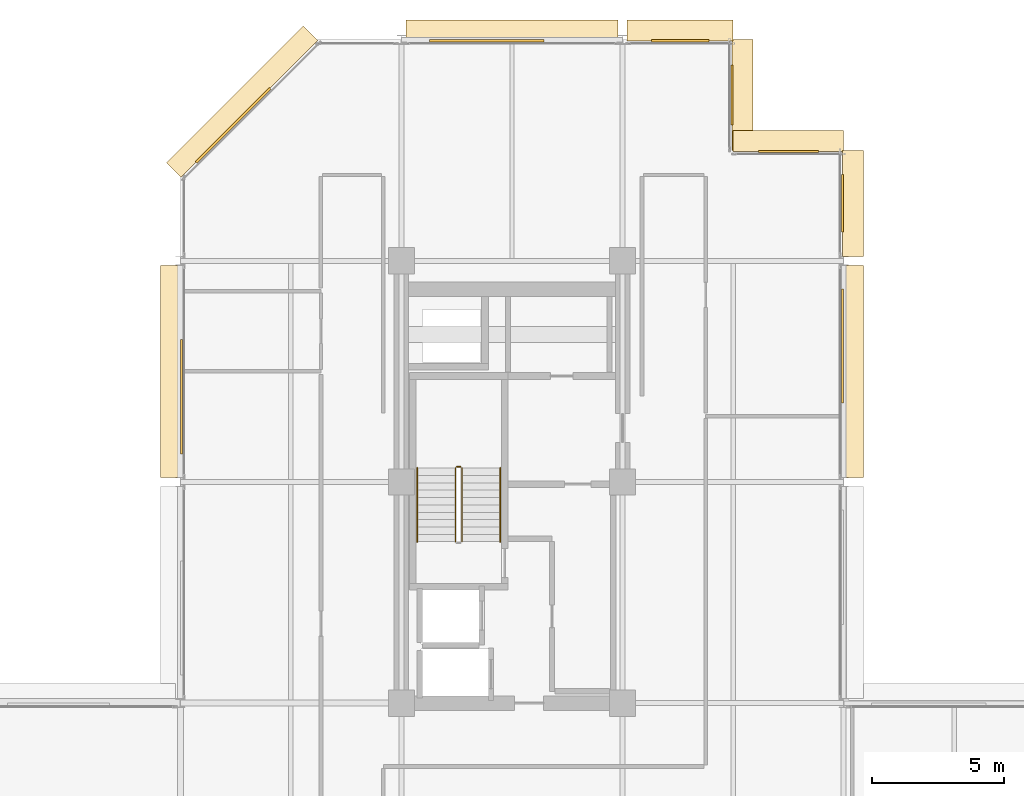
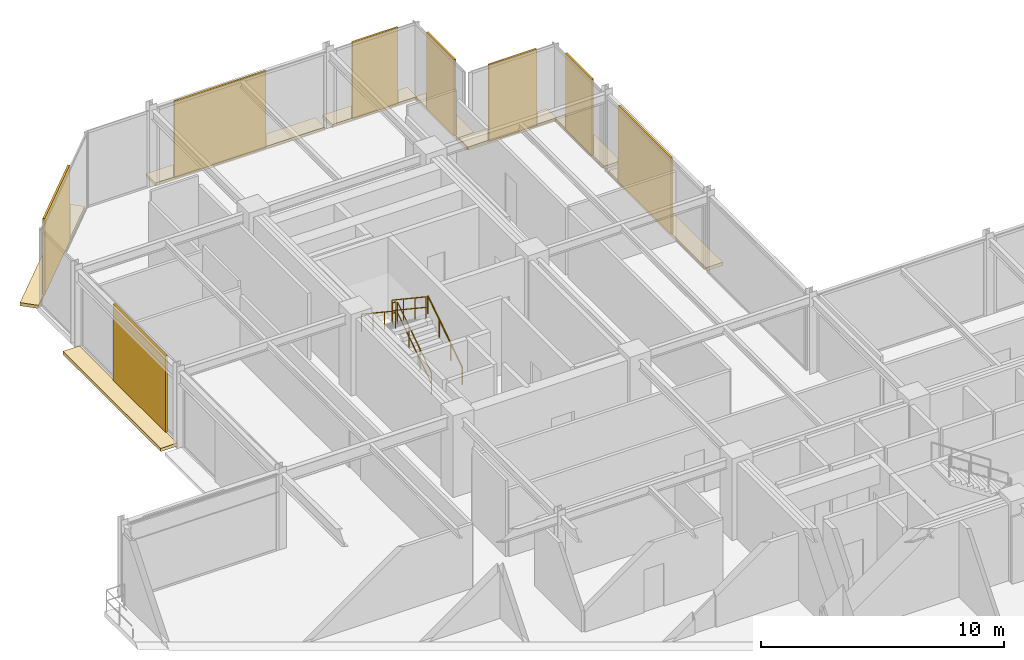
# One storey, part 29 of 29: 16 coverings, 5 railings.
"""IFC4 building model written with IfcOpenShell, lengths in metres."""

import ifcopenshell
import ifcopenshell.guid

model = None  # the IFC model being written
_history = None  # IfcOwnerHistory: only IFC2X3 demands one
_inside = {}  # id of a spatial element -> (the spatial element, [elements in it])
_under = {}  # id of a project, library or spatial element -> (it, [spatial elements below it])
_declared = {}  # id of a project -> (the project, [libraries it declares])
_typed = {}  # id of a type object -> (the type object, [elements of that type])
_made_of = {}  # id of a material, layer set ... -> (it, [elements and type objects made of it])


def new_model(schema):
    """Start an empty IFC model of exactly this schema.

    Asked for "IFC4X3", IfcOpenShell would pick the latest addendum, in which some entities
    have other attributes; the version numbers below select the first issue.
    IFC2X3 requires an IfcOwnerHistory on every rooted entity: one is made here for all.
    """
    global model, _history
    if schema == "IFC4X3":
        model = ifcopenshell.file(schema_version=(4, 3, 0, 0))
    else:
        model = ifcopenshell.file(schema=schema)
    _inside.clear()
    _under.clear()
    _declared.clear()
    _typed.clear()
    _made_of.clear()
    _history = None
    if model.schema == "IFC2X3":
        org = make("IfcOrganization", Name="unknown")
        user = make(
            "IfcPersonAndOrganization",
            ThePerson=make("IfcPerson", FamilyName="unknown"),
            TheOrganization=org,
        )
        app = make(
            "IfcApplication",
            ApplicationDeveloper=org,
            Version="unknown",
            ApplicationFullName="unknown",
            ApplicationIdentifier="unknown",
        )
        _history = make(
            "IfcOwnerHistory",
            OwningUser=user,
            OwningApplication=app,
            ChangeAction="ADDED",
            CreationDate=0,
        )
    return model


def make(cls, **values):
    """One entity of the class cls with the attributes given. An attribute that is None is left unset."""
    return model.create_entity(
        cls, **{name: value for name, value in values.items() if value is not None}
    )


def rooted(cls, **values):
    """An entity with a GlobalId (a new one), such as an element, a storey or a relation."""
    return make(cls, GlobalId=ifcopenshell.guid.new(), OwnerHistory=_history, **values)


def si_unit(unit_type, name, prefix=None):
    """IfcSIUnit, for example si_unit("LENGTHUNIT", "METRE", prefix="MILLI")."""
    return make("IfcSIUnit", UnitType=unit_type, Prefix=prefix, Name=name)


def assignment(units):
    """IfcUnitAssignment: the units of a project."""
    return None if units is None else make("IfcUnitAssignment", Units=units)


def point(xyz):
    """IfcCartesianPoint."""
    return None if xyz is None else make("IfcCartesianPoint", Coordinates=xyz)


def direction(xyz):
    """IfcDirection."""
    return None if xyz is None else make("IfcDirection", DirectionRatios=xyz)


def frame(location, z_axis=None, x_axis=None):
    """IfcAxis2Placement3D, a coordinate frame: its origin and axes. An axis left out is left unset."""
    return make(
        "IfcAxis2Placement3D",
        Location=point(location),
        Axis=direction(z_axis),
        RefDirection=direction(x_axis),
    )


def frame_2d(location, x_axis=None):
    """IfcAxis2Placement2D, a coordinate frame in the plane: its origin and x axis."""
    return make(
        "IfcAxis2Placement2D", Location=point(location), RefDirection=direction(x_axis)
    )


def origin():
    """The frame at (0, 0, 0) with its axes left unset."""
    return frame((0.0, 0.0, 0.0))


def origin_2d():
    """The frame at (0, 0) in the plane with its x axis left unset."""
    return frame_2d((0.0, 0.0))


def place(relative_to, where):
    """IfcLocalPlacement: puts the frame where relative to a parent placement (None: the world)."""
    return make(
        "IfcLocalPlacement", PlacementRelTo=relative_to, RelativePlacement=where
    )


def context(
    kind, dimensions, precision=None, world=None, true_north=None, identifier=None
):
    """IfcGeometricRepresentationContext, for example the 3D "Model" context."""
    return make(
        "IfcGeometricRepresentationContext",
        ContextIdentifier=identifier,
        ContextType=kind,
        CoordinateSpaceDimension=dimensions,
        Precision=precision,
        WorldCoordinateSystem=world,
        TrueNorth=true_north,
    )


def subcontext(parent, identifier, kind, view, scale=None):
    """IfcGeometricRepresentationSubContext, for example "Body" below "Model"."""
    return make(
        "IfcGeometricRepresentationSubContext",
        ContextIdentifier=identifier,
        ContextType=kind,
        ParentContext=parent,
        TargetScale=scale,
        TargetView=view,
    )


def project(units=None, contexts=None):
    """IfcProject with its units and contexts."""
    return rooted(
        "IfcProject",
        Name="project",
        RepresentationContexts=contexts,
        UnitsInContext=assignment(units),
    )


def spatial(cls, under=None, at=None, **own):
    """A site, building, storey or space (cls), placed at a placement, below another one or the project."""
    s = rooted(cls, ObjectPlacement=at, **own)
    if under is not None:
        _under.setdefault(under.id(), (under, []))[1].append(s)
    return s


def polyline(points):
    """IfcPolyline through the points."""
    return make("IfcPolyline", Points=[point(p) for p in points])


def profile(cls, at=None, kind="AREA", **sizes):
    """A parametric profile (cls). Its sizes go by their IFC names, for example OverallWidth=200.0."""
    return make(cls, ProfileType=kind, Position=at, **sizes)


def rectangle(**sizes):
    """IfcRectangleProfileDef."""
    return profile("IfcRectangleProfileDef", **sizes)


def circle(**sizes):
    """IfcCircleProfileDef."""
    return profile("IfcCircleProfileDef", **sizes)


def outline(outer, holes=None, kind="AREA"):
    """IfcArbitraryClosedProfileDef: a profile drawn as a closed curve; with holes, ...WithVoids."""
    if holes is None:
        return make("IfcArbitraryClosedProfileDef", ProfileType=kind, OuterCurve=outer)
    return make(
        "IfcArbitraryProfileDefWithVoids",
        ProfileType=kind,
        OuterCurve=outer,
        InnerCurves=holes,
    )


def extrude(swept, where, along, depth):
    """IfcExtrudedAreaSolid: the profile swept, set in the frame where, extruded along a direction by depth."""
    return make(
        "IfcExtrudedAreaSolid",
        SweptArea=swept,
        Position=where,
        ExtrudedDirection=direction(along),
        Depth=depth,
    )


def shape(context_of_items, identifier, shape_type, items):
    """IfcShapeRepresentation: the items that make up one representation, for example the "Body"."""
    return make(
        "IfcShapeRepresentation",
        ContextOfItems=context_of_items,
        RepresentationIdentifier=identifier,
        RepresentationType=shape_type,
        Items=items,
    )


def material(Name=None, Category=None):
    """IfcMaterial."""
    return make("IfcMaterial", Name=Name, Category=Category)


def layer(
    of_material, thickness, ventilated=None, Name=None, Category=None, Priority=None
):
    """IfcMaterialLayer: one layer of a wall or slab, of a material (None: an air gap)."""
    return make(
        "IfcMaterialLayer",
        Material=of_material,
        LayerThickness=thickness,
        IsVentilated=ventilated,
        Name=Name,
        Category=Category,
        Priority=Priority,
    )


def layer_set(layers, Name=None):
    """IfcMaterialLayerSet."""
    return make("IfcMaterialLayerSet", MaterialLayers=layers, LayerSetName=Name)


def made_of(thing, what):
    """Note that an element or type object is made of a material, layer set ...; save() writes the relation."""
    if what is not None:
        _made_of.setdefault(what.id(), (what, []))[1].append(thing)
    return thing


def type_object(cls, material=None, **own):
    """A type object (cls), such as IfcWallType, which elements share."""
    return made_of(rooted(cls, **own), material)


def element(
    cls,
    number,
    at=None,
    inside=None,
    cuts=None,
    type_object=None,
    material=None,
    context=None,
    identifier="Body",
    shape_type=None,
    held_by="IfcProductDefinitionShape",
    body=None,
    shapes=None,
    **own,
):
    """One element of the class cls, such as IfcWall. Its Tag is "e" and its number.

    at: its placement. inside: the storey or other place that contains it. cuts: it is an
    opening in that element (IfcRelVoidsElement). A single representation is given by context,
    identifier, shape_type and body (its items); several are given by shapes. held_by: the class
    of the entity that holds the representations. save() writes the other relations.
    """
    e = rooted(cls, Tag="e%d" % number, ObjectPlacement=at, **own)
    if body is not None:
        shapes = [shape(context, identifier, shape_type, body)]
    if shapes is not None:
        e.Representation = make(held_by, Representations=shapes)
    if inside is not None:
        _inside.setdefault(inside.id(), (inside, []))[1].append(e)
    if cuts is not None:
        rooted(
            "IfcRelVoidsElement", RelatingBuildingElement=cuts, RelatedOpeningElement=e
        )
    if type_object is not None:
        _typed.setdefault(type_object.id(), (type_object, []))[1].append(e)
    return made_of(e, material)


def aggregate(whole, parts):
    """IfcRelAggregates: a whole, such as a stair, and the parts it consists of."""
    return rooted("IfcRelAggregates", RelatingObject=whole, RelatedObjects=parts)


def save(model, path):
    """Write the relations noted so far, then the file.

    IfcRelAggregates (storeys below a building ...), IfcRelContainedInSpatialStructure (elements
    in a storey), IfcRelDefinesByType, IfcRelAssociatesMaterial and IfcRelDeclares: one each for
    every whole, place, type object, material and project.
    """
    for whole, parts in _under.values():
        aggregate(whole, parts)
    for where, things in _inside.values():
        rooted(
            "IfcRelContainedInSpatialStructure",
            RelatedElements=things,
            RelatingStructure=where,
        )
    for kind, things in _typed.values():
        rooted("IfcRelDefinesByType", RelatedObjects=things, RelatingType=kind)
    for what, things in _made_of.values():
        rooted("IfcRelAssociatesMaterial", RelatedObjects=things, RelatingMaterial=what)
    for by, libraries in _declared.values():
        rooted("IfcRelDeclares", RelatingContext=by, RelatedDefinitions=libraries)
    model.write(path)


model = new_model("IFC4")

# Units and contexts
model_context = context("Model", 3, precision=1e-05, world=origin(), true_north=direction((0.0, 1.0)))
body_context = subcontext(model_context, "Body", "Model", "MODEL_VIEW")
ifc_project = project(units=[si_unit("LENGTHUNIT", "METRE"), si_unit("AREAUNIT", "SQUARE_METRE"), si_unit("VOLUMEUNIT", "CUBIC_METRE"), si_unit("PLANEANGLEUNIT", "RADIAN"), si_unit("MASSUNIT", "GRAM", prefix="KILO")], contexts=[model_context])

# Site, building, storey
site_placement = place(None, origin())
site = spatial("IfcSite", under=ifc_project, at=site_placement, CompositionType="ELEMENT")
building_placement = place(site_placement, origin())
building = spatial("IfcBuilding", under=site, at=building_placement, Name="Nerrivon Quay Data Exchange", CompositionType="ELEMENT")
storey_placement = place(building_placement, frame((0.0, 0.0, 204.199951171875)))
storey = spatial("IfcBuildingStorey", under=building, at=storey_placement, Name="L48", CompositionType="ELEMENT", Elevation=204.199951171875)

# Coverings
ifc_material_1 = material(Name="Architectural terracotta ceramic", Category="masonry")
ifc_layer_1 = layer(ifc_material_1, 0.159912109375)
ifc_layer_set_1 = layer_set([ifc_layer_1], Name="Architectural terracotta ceramic")
covering_type_1 = type_object("IfcCoveringType", Name="COV-BLD-TERR", PredefinedType="CLADDING", material=ifc_layer_set_1)
covering_1_placement = place(storey_placement, frame((0.0, 0.0, -0.159912109375)))
element("IfcCovering", 1, at=covering_1_placement, inside=storey, type_object=covering_type_1, Name="L48 Horizontal Terracotta SOLAR SCREEN Blade", PredefinedType="CLADDING", context=body_context, shape_type="SweptSolid", body=[
    extrude(outline(polyline([(0.0400390625, 33.77490234375), (0.0400390625, 41.824951171875), (-0.75, 41.824951171875), (-0.75, 33.77490234375), (0.0400390625, 33.77490234375)])), origin(), (0.0, 0.0, 1.0), 0.159912109375),
])
covering_2_placement = place(storey_placement, frame((0.0, 0.0, -0.159912109375)))
element("IfcCovering", 2, at=covering_2_placement, inside=storey, type_object=covering_type_1, Name="L48 Horizontal Terracotta SOLAR SCREEN Blade", PredefinedType="CLADDING", context=body_context, shape_type="SweptSolid", body=[
    extrude(outline(polyline([(0.0283203125, 45.171630859375), (5.228271484375, 50.37158203125), (4.669677734375, 50.930419921875), (-0.5302734375, 45.730224609375), (0.0283203125, 45.171630859375)])), origin(), (0.0, 0.0, 1.0), 0.159912109375),
])
covering_3_placement = place(storey_placement, frame((0.0, 0.0, -0.159912109375)))
element("IfcCovering", 3, at=covering_3_placement, inside=storey, type_object=covering_type_1, Name="L48 Horizontal Terracotta SOLAR SCREEN Blade", PredefinedType="CLADDING", context=body_context, shape_type="SweptSolid", body=[
    extrude(outline(polyline([(8.574951171875, 50.360107421875), (16.625, 50.360107421875), (16.625, 51.14990234375), (8.574951171875, 51.14990234375), (8.574951171875, 50.360107421875)])), origin(), (0.0, 0.0, 1.0), 0.159912109375),
])
covering_4_placement = place(storey_placement, frame((0.0, 0.0, -0.159912109375)))
element("IfcCovering", 4, at=covering_4_placement, inside=storey, type_object=covering_type_1, Name="L48 Horizontal Terracotta SOLAR SCREEN Blade", PredefinedType="CLADDING", context=body_context, shape_type="SweptSolid", body=[
    extrude(outline(polyline([(16.97509765625, 50.360107421875), (21.0, 50.360107421875), (21.0, 51.14990234375), (16.97509765625, 51.14990234375), (16.97509765625, 50.360107421875)])), origin(), (0.0, 0.0, 1.0), 0.159912109375),
])
covering_5_placement = place(storey_placement, frame((0.0, 0.0, -0.159912109375)))
element("IfcCovering", 5, at=covering_5_placement, inside=storey, type_object=covering_type_1, Name="L48 Horizontal Terracotta SOLAR SCREEN Blade", PredefinedType="CLADDING", context=body_context, shape_type="SweptSolid", body=[
    extrude(outline(polyline([(20.9599609375, 50.39990234375), (20.9599609375, 46.199951171875), (21.75, 46.199951171875), (21.75, 50.39990234375), (20.9599609375, 50.39990234375)])), origin(), (0.0, 0.0, 1.0), 0.159912109375),
])
covering_6_placement = place(storey_placement, frame((0.0, 0.0, -0.159912109375)))
element("IfcCovering", 6, at=covering_6_placement, inside=storey, type_object=covering_type_1, Name="L48 Horizontal Terracotta SOLAR SCREEN Blade", PredefinedType="CLADDING", context=body_context, shape_type="SweptSolid", body=[
    extrude(outline(polyline([(21.0, 46.159912109375), (25.199951171875, 46.159912109375), (25.199951171875, 46.949951171875), (21.0, 46.949951171875), (21.0, 46.159912109375)])), origin(), (0.0, 0.0, 1.0), 0.159912109375),
])
covering_7_placement = place(storey_placement, frame((0.0, 0.0, -0.159912109375)))
element("IfcCovering", 7, at=covering_7_placement, inside=storey, type_object=covering_type_1, Name="L48 Horizontal Terracotta SOLAR SCREEN Blade", PredefinedType="CLADDING", context=body_context, shape_type="SweptSolid", body=[
    extrude(outline(polyline([(25.159912109375, 46.199951171875), (25.159912109375, 42.175048828125), (25.949951171875, 42.175048828125), (25.949951171875, 46.199951171875), (25.159912109375, 46.199951171875)])), origin(), (0.0, 0.0, 1.0), 0.159912109375),
])
covering_8_placement = place(storey_placement, frame((0.0, 0.0, -0.159912109375)))
element("IfcCovering", 8, at=covering_8_placement, inside=storey, type_object=covering_type_1, Name="L48 Horizontal Terracotta SOLAR SCREEN Blade", PredefinedType="CLADDING", context=body_context, shape_type="SweptSolid", body=[
    extrude(outline(polyline([(25.159912109375, 41.824951171875), (25.159912109375, 33.77490234375), (25.949951171875, 33.77490234375), (25.949951171875, 41.824951171875), (25.159912109375, 41.824951171875)])), origin(), (0.0, 0.0, 1.0), 0.159912109375),
])
ifc_layer_2 = layer(ifc_material_1, 0.090087890625)
ifc_layer_set_2 = layer_set([ifc_layer_2], Name="Architectural terracotta ceramic")
covering_type_2 = type_object("IfcCoveringType", Name="COV-SCR-TERR", PredefinedType="CLADDING", material=ifc_layer_set_2)
covering_9_placement = place(storey_placement, frame((0.044921875, 36.833984375, 0.0), z_axis=(0.0, 0.0, 1.0), x_axis=(0.0, 1.0, 0.0)))
element("IfcCovering", 9, at=covering_9_placement, inside=storey, type_object=covering_type_2, Name="L48 Perforated Terracotta SOLAR SCREEN Cassette", PredefinedType="CLADDING", context=body_context, shape_type="SweptSolid", body=[
    extrude(rectangle(XDim=4.346923828125, YDim=0.090087890625, at=origin_2d()), origin(), (0.0, 0.0, 1.0), 3.824951171875),
])
covering_10_placement = place(storey_placement, frame((2.0078125, 47.144287109375, 0.0), z_axis=(0.0, 0.0, 1.0), x_axis=(0.707106781187, 0.707106781187, 0.0)))
element("IfcCovering", 10, at=covering_10_placement, inside=storey, type_object=covering_type_2, Name="L48 Perforated Terracotta SOLAR SCREEN Cassette", PredefinedType="CLADDING", context=body_context, shape_type="SweptSolid", body=[
    extrude(rectangle(XDim=3.970947265625, YDim=0.090087890625, at=origin_2d()), origin(), (0.0, 0.0, 1.0), 3.824951171875),
])
covering_11_placement = place(storey_placement, frame((11.634033203125, 50.35498046875, 0.0), z_axis=(0.0, 0.0, 1.0), x_axis=(1.0, 0.0, 0.0)))
element("IfcCovering", 11, at=covering_11_placement, inside=storey, type_object=covering_type_2, Name="L48 Perforated Terracotta SOLAR SCREEN Cassette", PredefinedType="CLADDING", context=body_context, shape_type="SweptSolid", body=[
    extrude(rectangle(XDim=4.346923828125, YDim=0.090087890625, at=origin_2d()), origin(), (0.0, 0.0, 1.0), 3.824951171875),
])
covering_12_placement = place(storey_placement, frame((18.987548828125, 50.35498046875, 0.0), z_axis=(0.0, 0.0, 1.0), x_axis=(1.0, 0.0, 0.0)))
element("IfcCovering", 12, at=covering_12_placement, inside=storey, type_object=covering_type_2, Name="L48 Perforated Terracotta SOLAR SCREEN Cassette", PredefinedType="CLADDING", context=body_context, shape_type="SweptSolid", body=[
    extrude(rectangle(XDim=2.173095703125, YDim=0.090087890625, at=origin_2d()), origin(), (0.0, 0.0, 1.0), 3.824951171875),
])
for number, where, z_axis, x_axis, name in (
    (13, (20.955078125, 48.300048828125, 0.0), (0.0, 0.0, 1.0), (0.0, -1.0, 0.0), "L48 Perforated Terracotta SOLAR SCREEN Cassette"),
    (14, (23.10009765625, 46.155029296875, 0.0), (0.0, 0.0, 1.0), (1.0, 0.0, 0.0), "L48 Perforated Terracotta SOLAR SCREEN Cassette"),
):
    element("IfcCovering", number, at=place(storey_placement, frame(where, z_axis=z_axis, x_axis=x_axis)), inside=storey, type_object=covering_type_2, Name=name, PredefinedType="CLADDING", context=body_context, shape_type="SweptSolid", body=[
        extrude(rectangle(XDim=2.26806640625, YDim=0.090087890625, at=origin_2d()), origin(), (0.0, 0.0, 1.0), 3.824951171875),
    ])
covering_13_placement = place(storey_placement, frame((25.155029296875, 44.1875, 0.0), z_axis=(0.0, 0.0, 1.0), x_axis=(0.0, -1.0, 0.0)))
element("IfcCovering", 15, at=covering_13_placement, inside=storey, type_object=covering_type_2, Name="L48 Perforated Terracotta SOLAR SCREEN Cassette", PredefinedType="CLADDING", context=body_context, shape_type="SweptSolid", body=[
    extrude(rectangle(XDim=2.174072265625, YDim=0.090087890625, at=origin_2d()), origin(), (0.0, 0.0, 1.0), 3.824951171875),
])
covering_14_placement = place(storey_placement, frame((25.155029296875, 38.76611328125, 0.0), z_axis=(0.0, 0.0, 1.0), x_axis=(0.0, -1.0, 0.0)))
element("IfcCovering", 16, at=covering_14_placement, inside=storey, type_object=covering_type_2, Name="L48 Perforated Terracotta SOLAR SCREEN Cassette", PredefinedType="CLADDING", context=body_context, shape_type="SweptSolid", body=[
    extrude(rectangle(XDim=4.346923828125, YDim=0.090087890625, at=origin_2d()), origin(), (0.0, 0.0, 1.0), 3.824951171875),
])

# Railings
ifc_material_2 = material(Name="Steel Grade C350L0 (350 MPa)", Category="steel")
railing_type_1 = type_object("IfcRailingType", Name="RAIL-HAND-HR1", PredefinedType="HANDRAIL", material=ifc_material_2)
railing_1_placement = place(storey_placement, frame((12.14990234375, 31.330078125, 0.1865234375)))
element("IfcRailing", 17, at=railing_1_placement, inside=storey, type_object=railing_type_1, Name="L48 ST01 stair handrail 1", PredefinedType="HANDRAIL", context=body_context, shape_type="SweptSolid", body=[
    extrude(circle(Radius=0.02392578125, at=origin_2d()), frame((0.0, 0.0, 0.8759765625), z_axis=(0.0, 0.832463268671, 0.554080234545), x_axis=(-1.0, 0.0, 0.0)), (0.0, 0.0, 1.0), 3.36328125),
    extrude(circle(Radius=0.02099609375, at=origin_2d()), origin(), (0.0, 0.0, 1.0), 0.851806640625),
    extrude(circle(Radius=0.02099609375, at=origin_2d()), frame((0.0, 0.933349609375, 0.62109375)), (0.0, 0.0, 1.0), 0.851806640625),
    extrude(circle(Radius=0.02099609375, at=origin_2d()), frame((0.0, 1.866455078125, 1.242431640625)), (0.0, 0.0, 1.0), 0.851806640625),
    extrude(circle(Radius=0.02099609375, at=origin_2d()), frame((0.0, 2.7998046875, 1.863525390625)), (0.0, 0.0, 1.0), 0.851806640625),
])
railing_2_placement = place(storey_placement, frame((9.0, 34.1298828125, 2.236328125)))
element("IfcRailing", 18, at=railing_2_placement, inside=storey, type_object=railing_type_1, Name="L48 ST01 stair handrail 2", PredefinedType="HANDRAIL", context=body_context, shape_type="SweptSolid", body=[
    extrude(circle(Radius=0.02392578125, at=origin_2d()), frame((0.0, 0.0, 0.8759765625), z_axis=(0.0, -0.832429786209, 0.554130536094), x_axis=(1.0, 0.0, 0.0)), (0.0, 0.0, 1.0), 3.363525390625),
    extrude(circle(Radius=0.02099609375, at=origin_2d()), origin(), (0.0, 0.0, 1.0), 0.851806640625),
    extrude(circle(Radius=0.02099609375, at=origin_2d()), frame((0.0, -0.933349609375, 0.621337890625)), (0.0, 0.0, 1.0), 0.851806640625),
    extrude(circle(Radius=0.02099609375, at=origin_2d()), frame((0.0, -1.866455078125, 1.242431640625)), (0.0, 0.0, 1.0), 0.851806640625),
    extrude(circle(Radius=0.02099609375, at=origin_2d()), frame((0.0, -2.7998046875, 1.86376953125)), (0.0, 0.0, 1.0), 0.851806640625),
])
railing_type_2 = type_object("IfcRailingType", Name="RAIL-STAIR-GR1", PredefinedType="BALUSTRADE", material=ifc_material_2)
railing_3_placement = place(storey_placement, frame((10.699951171875, 31.330078125, 0.1865234375)))
element("IfcRailing", 19, at=railing_3_placement, inside=storey, type_object=railing_type_2, Name="L48 ST01 stair guard 1", PredefinedType="BALUSTRADE", context=body_context, shape_type="SweptSolid", body=[
    extrude(circle(Radius=0.02392578125, at=origin_2d()), frame((0.0, 0.0, 1.076171875), z_axis=(0.0, 0.832463268671, 0.554080234545), x_axis=(-1.0, 0.0, 0.0)), (0.0, 0.0, 1.0), 3.36328125),
    extrude(circle(Radius=0.02392578125, at=origin_2d()), frame((0.0, 0.0, 0.550048828125), z_axis=(0.0, 0.832463268671, 0.554080234545), x_axis=(-1.0, 0.0, 0.0)), (0.0, 0.0, 1.0), 3.36328125),
    extrude(circle(Radius=0.02099609375, at=origin_2d()), origin(), (0.0, 0.0, 1.0), 1.052001953125),
    extrude(circle(Radius=0.02099609375, at=origin_2d()), frame((0.0, 0.933349609375, 0.62109375)), (0.0, 0.0, 1.0), 1.052001953125),
    extrude(circle(Radius=0.02099609375, at=origin_2d()), frame((0.0, 1.866455078125, 1.242431640625)), (0.0, 0.0, 1.0), 1.052001953125),
    extrude(circle(Radius=0.02099609375, at=origin_2d()), frame((0.0, 2.7998046875, 1.863525390625)), (0.0, 0.0, 1.0), 1.052001953125),
])
railing_4_placement = place(storey_placement, frame((10.64990234375, 34.179931640625, 2.050048828125)))
element("IfcRailing", 20, at=railing_4_placement, inside=storey, type_object=railing_type_2, Name="L48 ST01 stair guard 2", PredefinedType="BALUSTRADE", context=body_context, shape_type="SweptSolid", body=[
    extrude(circle(Radius=0.02392578125, at=origin_2d()), frame((0.0, 0.0, 1.076171875), z_axis=(-1.0, 0.0, 0.0), x_axis=(0.0, -1.0, 0.0)), (0.0, 0.0, 1.0), 0.14990234375),
    extrude(circle(Radius=0.02392578125, at=origin_2d()), frame((0.0, 0.0, 0.550048828125), z_axis=(-1.0, 0.0, 0.0), x_axis=(0.0, -1.0, 0.0)), (0.0, 0.0, 1.0), 0.14990234375),
    extrude(circle(Radius=0.02099609375, at=origin_2d()), origin(), (0.0, 0.0, 1.0), 1.052001953125),
    extrude(circle(Radius=0.02099609375, at=origin_2d()), frame((-0.14990234375, 0.0, 0.0)), (0.0, 0.0, 1.0), 1.052001953125),
])
railing_5_placement = place(storey_placement, frame((10.449951171875, 34.1298828125, 2.236328125)))
element("IfcRailing", 21, at=railing_5_placement, inside=storey, type_object=railing_type_2, Name="L48 ST01 stair guard 3", PredefinedType="BALUSTRADE", context=body_context, shape_type="SweptSolid", body=[
    extrude(circle(Radius=0.02392578125, at=origin_2d()), frame((0.0, 0.0, 1.076171875), z_axis=(0.0, -0.832429786209, 0.554130536094), x_axis=(1.0, 0.0, 0.0)), (0.0, 0.0, 1.0), 3.363525390625),
    extrude(circle(Radius=0.02392578125, at=origin_2d()), frame((0.0, 0.0, 0.550048828125), z_axis=(0.0, -0.832429786209, 0.554130536094), x_axis=(1.0, 0.0, 0.0)), (0.0, 0.0, 1.0), 3.363525390625),
    extrude(circle(Radius=0.02099609375, at=origin_2d()), origin(), (0.0, 0.0, 1.0), 1.052001953125),
    extrude(circle(Radius=0.02099609375, at=origin_2d()), frame((0.0, -0.933349609375, 0.621337890625)), (0.0, 0.0, 1.0), 1.052001953125),
    extrude(circle(Radius=0.02099609375, at=origin_2d()), frame((0.0, -1.866455078125, 1.242431640625)), (0.0, 0.0, 1.0), 1.052001953125),
    extrude(circle(Radius=0.02099609375, at=origin_2d()), frame((0.0, -2.7998046875, 1.86376953125)), (0.0, 0.0, 1.0), 1.052001953125),
])

save(model, "model.ifc")
